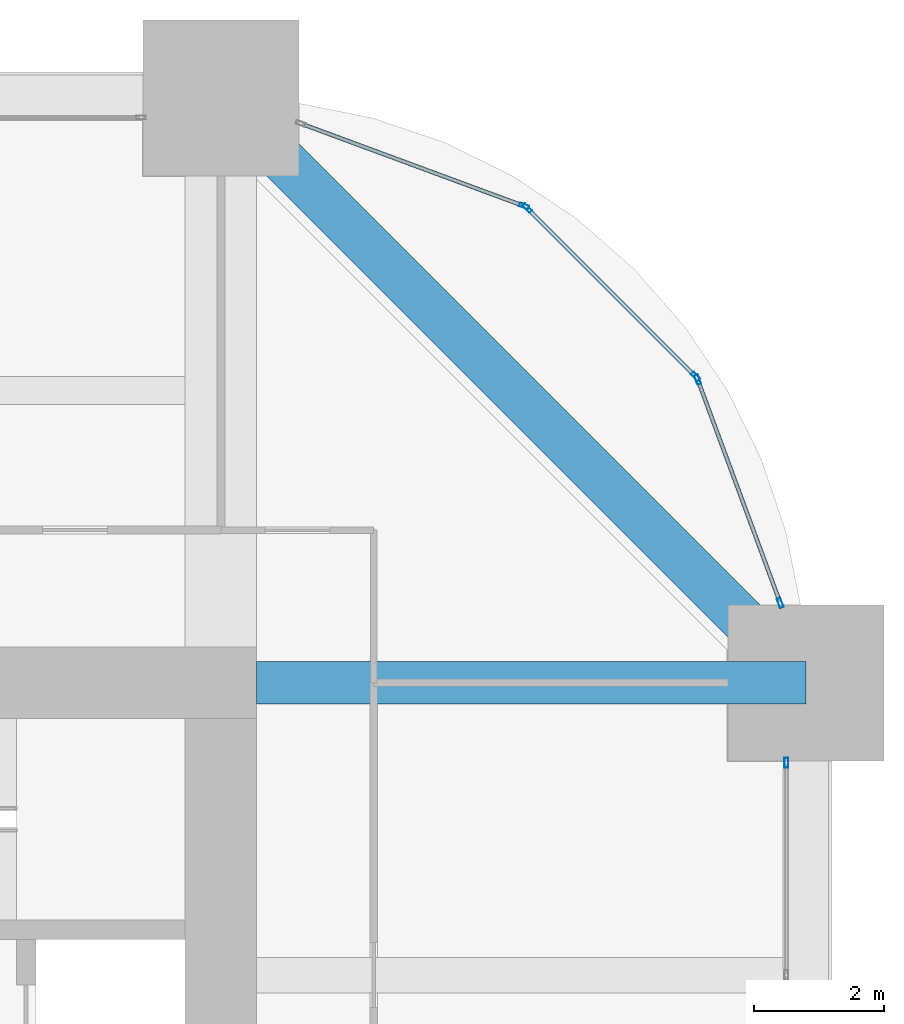
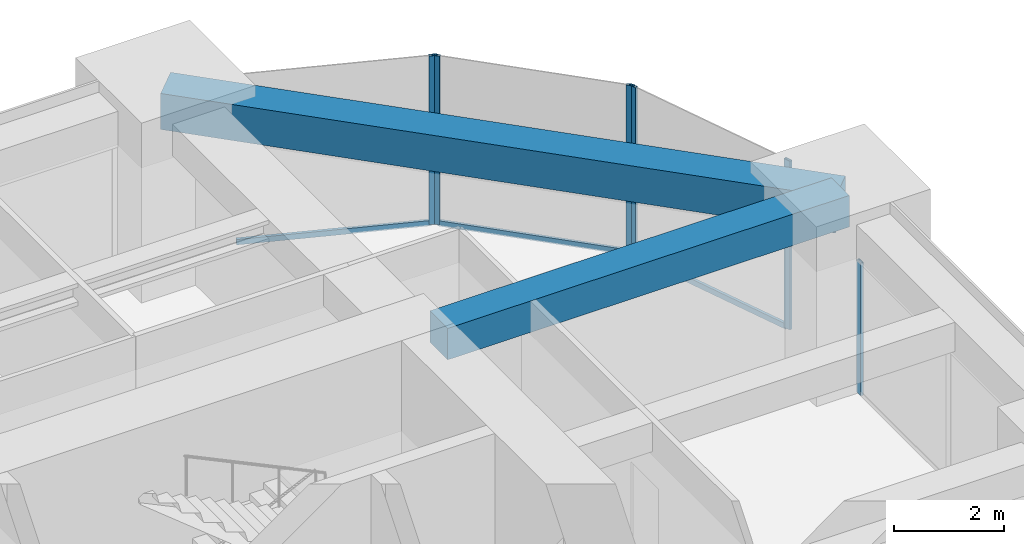
# One storey, part 27 of 34: 9 members, 2 beams, 4 elements without a shape of their own.
"""IFC4 building model written with IfcOpenShell, lengths in metres."""

from ifc_helpers import new_model, si_unit, direction, frame, origin, origin_2d, place, context, subcontext, project, spatial, rectangle, hollow_rectangle, extrude, material, material_profile, profile_set, type_object, element, aggregate, save


model = new_model("IFC4")

# Units and contexts
model_context = context("Model", 3, precision=1e-05, world=origin(), true_north=direction((0.0, 1.0)))
body_context = subcontext(model_context, "Body", "Model", "MODEL_VIEW")
ifc_project = project(units=[si_unit("LENGTHUNIT", "METRE"), si_unit("AREAUNIT", "SQUARE_METRE"), si_unit("VOLUMEUNIT", "CUBIC_METRE"), si_unit("PLANEANGLEUNIT", "RADIAN"), si_unit("MASSUNIT", "GRAM", prefix="KILO")], contexts=[model_context])

# Site, building, storey
site_placement = place(None, origin())
site = spatial("IfcSite", under=ifc_project, at=site_placement, CompositionType="ELEMENT")
building_placement = place(site_placement, origin())
building = spatial("IfcBuilding", under=site, at=building_placement, Name="Zorevar Civic Tower", CompositionType="ELEMENT")
storey_placement = place(building_placement, frame((0.0, 0.0, 214.199951171875)))
storey = spatial("IfcBuildingStorey", under=building, at=storey_placement, Name="L52", CompositionType="ELEMENT", Elevation=214.199951171875)

# Beam
ifc_material_1 = material(Name="Concrete C50/60", Category="concrete")
ifc_material_profile_1 = material_profile(ifc_material_1, rectangle(XDim=0.64990234375, YDim=0.699951171875, at=origin_2d()), Name="RC 650x700")
ifc_profile_set_1 = profile_set([ifc_material_profile_1], Name="Concrete C50/60")
beam_type_1 = type_object("IfcBeamType", Name="Beam RC 650x700", PredefinedType="BEAM", material=ifc_profile_set_1)
beam_1_placement = place(storey_placement, frame((45.550048828125, 36.0, 3.400146484375), z_axis=(1.0, 0.0, 0.0), x_axis=(0.0, 1.0, 0.0)))
element("IfcBeam", 1, at=beam_1_placement, inside=storey, type_object=beam_type_1, Name="Girder L53", PredefinedType="BEAM", context=body_context, shape_type="SweptSolid", body=[
    extrude(rectangle(XDim=0.64990234375, YDim=0.699951171875, at=origin_2d()), origin(), (0.0, 0.0, 1.0), 8.449951171875),
])

# Curtain wall, member
ifc_material_2 = material(Name="Dark grey solar-control glass in black aluminium frame", Category="aluminium")
curtain_wall_type = type_object("IfcCurtainWallType", Name="Curtain wall CW4 high zone", PredefinedType="NOTDEFINED", material=ifc_material_2)
curtain_wall_1_placement = place(storey_placement, origin())
curtain_wall_1 = element("IfcCurtainWall", 2, at=curtain_wall_1_placement, inside=storey, type_object=curtain_wall_type, Name="CW4 L52", PredefinedType="NOTDEFINED")
ifc_material_3 = material(Name="Aluminium, black anodised", Category="aluminium")
ifc_material_profile_2 = material_profile(ifc_material_3, hollow_rectangle(XDim=0.06005859375, YDim=0.14990234375, WallThickness=0.00390625, at=origin_2d()), Name="AL 150x60x4")
ifc_profile_set_2 = profile_set([ifc_material_profile_2], Name="Aluminium, black anodised")
member_type_1 = type_object("IfcMemberType", Name="CW4 mullion AL 150x60x4", PredefinedType="MULLION", material=ifc_profile_set_2)
member_1_placement = place(storey_placement, frame((53.699951171875, 34.77001953125, 0.0), z_axis=(0.0, 0.0, 1.0), x_axis=(-1.0, 0.0, 0.0)))
member_1 = element("IfcMember", 3, at=member_1_placement, type_object=member_type_1, Name="CW4 mullion 3", PredefinedType="MULLION", context=body_context, shape_type="SweptSolid", body=[
    extrude(hollow_rectangle(XDim=0.06005859375, YDim=0.14990234375, WallThickness=0.00390625, at=origin_2d()), origin(), (0.0, 0.0, 1.0), 2.949951171875),
])
aggregate(curtain_wall_1, [member_1])

# Curtain wall, members
curtain_wall_2_placement = place(storey_placement, origin())
curtain_wall_2 = element("IfcCurtainWall", 4, at=curtain_wall_2_placement, inside=storey, type_object=curtain_wall_type, Name="CW4 L52", PredefinedType="NOTDEFINED")
member_2_placement = place(storey_placement, frame((53.6064453125, 37.22802734375, 0.0), z_axis=(0.0, 0.0, 1.0), x_axis=(-0.937974588163, -0.346704012033, 0.0)))
member_2 = element("IfcMember", 5, at=member_2_placement, type_object=member_type_1, Name="CW4 mullion 1", PredefinedType="MULLION", context=body_context, shape_type="SweptSolid", body=[
    extrude(hollow_rectangle(XDim=0.06005859375, YDim=0.14990234375, WallThickness=0.00390625, at=origin_2d()), origin(), (0.0, 0.0, 1.0), 3.75),
])
member_3_placement = place(storey_placement, frame((52.336181640625, 40.66455078125, 0.0), z_axis=(0.0, 0.0, 1.0), x_axis=(-0.937974588163, -0.346704012033, 0.0)))
member_3 = element("IfcMember", 6, at=member_3_placement, type_object=member_type_1, Name="CW4 mullion 2", PredefinedType="MULLION", context=body_context, shape_type="SweptSolid", body=[
    extrude(hollow_rectangle(XDim=0.06005859375, YDim=0.14990234375, WallThickness=0.00390625, at=origin_2d()), origin(), (0.0, 0.0, 1.0), 3.75),
])

curtain_wall_3_placement = place(storey_placement, origin())
curtain_wall_3 = element("IfcCurtainWall", 7, at=curtain_wall_3_placement, inside=storey, type_object=curtain_wall_type, Name="CW4 L52", PredefinedType="NOTDEFINED")
member_4_placement = place(storey_placement, frame((52.3046875, 40.7138671875, 0.0), z_axis=(0.0, 0.0, 1.0), x_axis=(-0.707106781187, -0.707106781187, 0.0)))
member_4 = element("IfcMember", 8, at=member_4_placement, type_object=member_type_1, Name="CW4 mullion 1", PredefinedType="MULLION", context=body_context, shape_type="SweptSolid", body=[
    extrude(hollow_rectangle(XDim=0.06005859375, YDim=0.14990234375, WallThickness=0.00390625, at=origin_2d()), origin(), (0.0, 0.0, 1.0), 3.75),
])
member_5_placement = place(storey_placement, frame((49.7138671875, 43.3046875, 0.0), z_axis=(0.0, 0.0, 1.0), x_axis=(-0.707106781187, -0.707106781187, 0.0)))
member_5 = element("IfcMember", 9, at=member_5_placement, type_object=member_type_1, Name="CW4 mullion 2", PredefinedType="MULLION", context=body_context, shape_type="SweptSolid", body=[
    extrude(hollow_rectangle(XDim=0.06005859375, YDim=0.14990234375, WallThickness=0.00390625, at=origin_2d()), origin(), (0.0, 0.0, 1.0), 3.75),
])

# Curtain wall, member
curtain_wall_4_placement = place(storey_placement, origin())
curtain_wall_4 = element("IfcCurtainWall", 10, at=curtain_wall_4_placement, inside=storey, type_object=curtain_wall_type, Name="CW4 L52", PredefinedType="NOTDEFINED")
member_6_placement = place(storey_placement, frame((49.66455078125, 43.336181640625, 0.0), z_axis=(0.0, 0.0, 1.0), x_axis=(-0.346704012033, -0.937974588163, 0.0)))
member_6 = element("IfcMember", 11, at=member_6_placement, type_object=member_type_1, Name="CW4 mullion 1", PredefinedType="MULLION", context=body_context, shape_type="SweptSolid", body=[
    extrude(hollow_rectangle(XDim=0.06005859375, YDim=0.14990234375, WallThickness=0.00390625, at=origin_2d()), origin(), (0.0, 0.0, 1.0), 3.75),
])

# Member
ifc_material_4 = material(Name="Aluminium, black anodised", Category="aluminium")
ifc_material_profile_3 = material_profile(ifc_material_4, hollow_rectangle(XDim=0.06005859375, YDim=0.1201171875, WallThickness=0.0029296875, at=origin_2d()), Name="AL 120x60x3")
ifc_profile_set_3 = profile_set([ifc_material_profile_3], Name="Aluminium, black anodised")
member_type_2 = type_object("IfcMemberType", Name="CW4 transom AL 120x60x3", PredefinedType="USERDEFINED", material=ifc_profile_set_3)
member_7_placement = place(storey_placement, frame((53.595947265625, 37.25634765625, 0.030029296875), z_axis=(-0.346672169799, 0.93798635741, 0.0), x_axis=(-0.93798635741, -0.346672169799, 0.0)))
member_7 = element("IfcMember", 12, at=member_7_placement, type_object=member_type_2, Name="CW4 sill transom", ObjectType="TRANSOM", PredefinedType="USERDEFINED", context=body_context, shape_type="SweptSolid", body=[
    extrude(hollow_rectangle(XDim=0.06005859375, YDim=0.1201171875, WallThickness=0.0029296875, at=origin_2d()), origin(), (0.0, 0.0, 1.0), 3.603515625),
])

aggregate(curtain_wall_2, [member_2, member_3, member_7])

member_8_placement = place(storey_placement, frame((52.283447265625, 40.735107421875, 0.030029296875), z_axis=(-0.707106781187, 0.707106781187, 0.0), x_axis=(-0.707106781187, -0.707106781187, 0.0)))
member_8 = element("IfcMember", 13, at=member_8_placement, type_object=member_type_2, Name="CW4 sill transom", ObjectType="TRANSOM", PredefinedType="USERDEFINED", context=body_context, shape_type="SweptSolid", body=[
    extrude(hollow_rectangle(XDim=0.06005859375, YDim=0.1201171875, WallThickness=0.0029296875, at=origin_2d()), origin(), (0.0, 0.0, 1.0), 3.60400390625),
])

aggregate(curtain_wall_3, [member_4, member_5, member_8])

member_9_placement = place(storey_placement, frame((49.636474609375, 43.3466796875, 0.030029296875), z_axis=(-0.93798635741, 0.346672169799, 0.0), x_axis=(-0.346672169799, -0.93798635741, 0.0)))
member_9 = element("IfcMember", 14, at=member_9_placement, type_object=member_type_2, Name="CW4 sill transom", ObjectType="TRANSOM", PredefinedType="USERDEFINED", context=body_context, shape_type="SweptSolid", body=[
    extrude(hollow_rectangle(XDim=0.06005859375, YDim=0.1201171875, WallThickness=0.0029296875, at=origin_2d()), origin(), (0.0, 0.0, 1.0), 3.603515625),
])

aggregate(curtain_wall_4, [member_6, member_9])

# Beam
ifc_material_5 = material(Name="Concrete C50/60", Category="concrete")
ifc_material_profile_4 = material_profile(ifc_material_5, rectangle(XDim=0.699951171875, YDim=0.800048828125, at=origin_2d()), Name="RC 700x800")
ifc_profile_set_4 = profile_set([ifc_material_profile_4], Name="Concrete C50/60")
beam_type_2 = type_object("IfcBeamType", Name="Edge beam RC 700x800", PredefinedType="SPANDREL", material=ifc_profile_set_4)
beam_2_placement = place(storey_placement, frame((54.0, 36.0, 3.35009765625), z_axis=(-0.707106781187, 0.707106781187, 0.0), x_axis=(-0.707106781187, -0.707106781187, 0.0)))
element("IfcBeam", 15, at=beam_2_placement, inside=storey, type_object=beam_type_2, Name="Corner edge beam L53", PredefinedType="SPANDREL", context=body_context, shape_type="SweptSolid", body=[
    extrude(rectangle(XDim=0.699951171875, YDim=0.800048828125, at=origin_2d()), origin(), (0.0, 0.0, 1.0), 12.72802734375),
])

save(model, "model.ifc")
